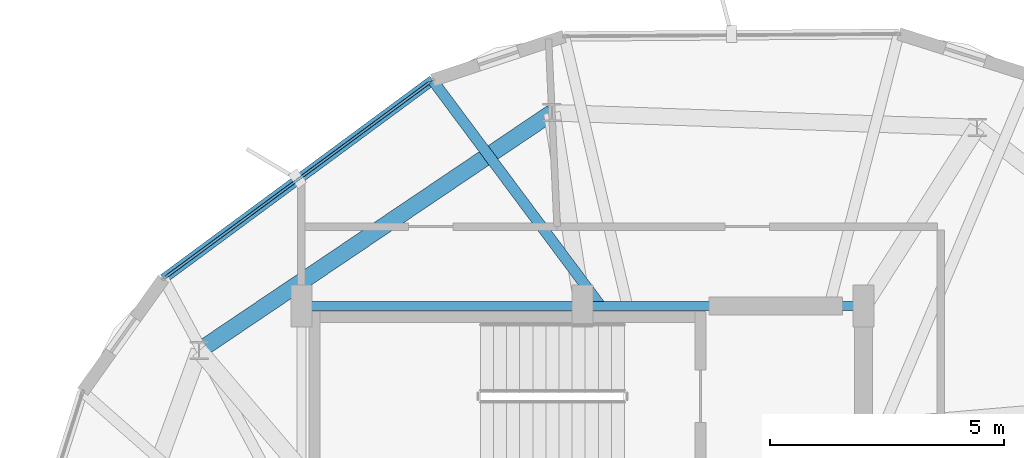
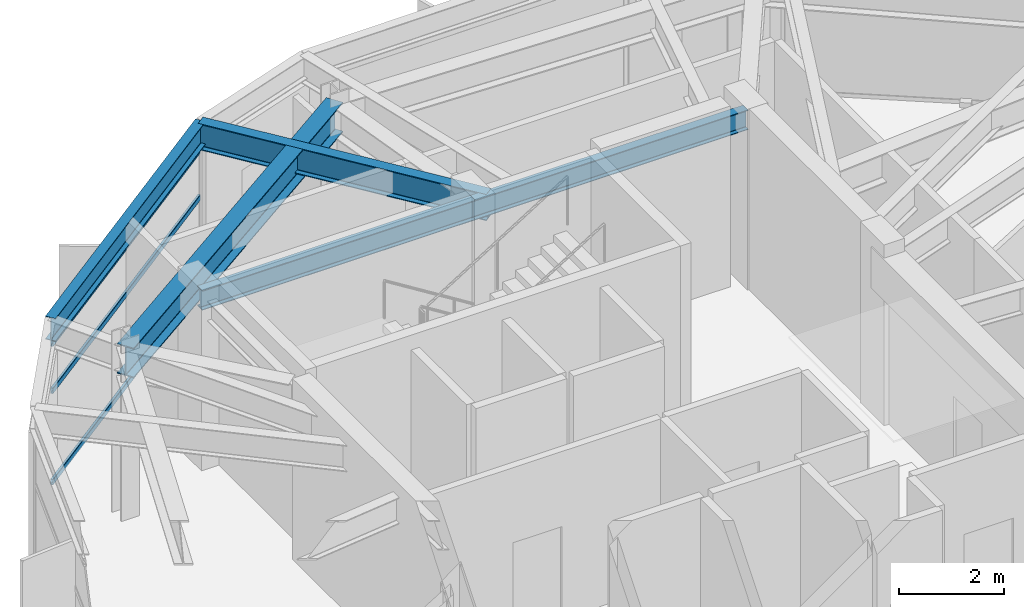
# One storey, part 11 of 22: 5 beams, 3 members, 1 element without a shape of its own.
"""IFC4 building model written with IfcOpenShell, lengths in metres."""

from ifc_helpers import new_model, si_unit, direction, frame, origin, origin_2d, place, context, subcontext, project, spatial, hollow_rectangle, i_section, extrude, material, layer, layer_set, material_profile, profile_set, type_object, element, aggregate, save


model = new_model("IFC4")

# Units and contexts
model_context = context("Model", 3, precision=1e-05, world=origin(), true_north=direction((0.0, 1.0)))
body_context = subcontext(model_context, "Body", "Model", "MODEL_VIEW")
ifc_project = project(units=[si_unit("LENGTHUNIT", "METRE"), si_unit("AREAUNIT", "SQUARE_METRE"), si_unit("VOLUMEUNIT", "CUBIC_METRE"), si_unit("PLANEANGLEUNIT", "RADIAN"), si_unit("MASSUNIT", "GRAM", prefix="KILO")], contexts=[model_context])

# Site, building, storey
site_placement = place(None, origin())
site = spatial("IfcSite", under=ifc_project, at=site_placement, CompositionType="ELEMENT")
building_placement = place(site_placement, origin())
building = spatial("IfcBuilding", under=site, at=building_placement, Name="Soratama Intermodal Tower", CompositionType="ELEMENT")
storey_placement = place(building_placement, frame((0.0, 0.0, 301.449951171875)))
storey = spatial("IfcBuildingStorey", under=building, at=storey_placement, Name="L76", CompositionType="ELEMENT", Elevation=301.449951171875)

# Beams
ifc_material_1 = material(Name="Structural steel ASTM A992 Grade 50", Category="steel")
ifc_material_profile_1 = material_profile(ifc_material_1, i_section(OverallWidth=0.19091796875, OverallDepth=0.4599609375, WebThickness=0.010009765625, FlangeThickness=0.01611328125, FilletRadius=0.010986328125, at=origin_2d()), Name="W18X55")
ifc_profile_set_1 = profile_set([ifc_material_profile_1], Name="Structural steel ASTM A992 Grade 50")
beam_type_1 = type_object("IfcBeamType", Name="BM-FLR-W18X55", PredefinedType="BEAM", material=ifc_profile_set_1)
for number, where, z_axis, x_axis, name in (
    (1, (44.60009765625, 35.0, 3.6650390625), (-1.0, 0.0, 0.0), (0.0, -1.0, 0.0), "BM-L76-CRING-06"),
    (2, (38.60009765625, 35.0, 3.6650390625), (-1.0, 0.0, 0.0), (0.0, -1.0, 0.0), "BM-L76-CRING-07"),
):
    element("IfcBeam", number, at=place(storey_placement, frame(where, z_axis=z_axis, x_axis=x_axis)), inside=storey, type_object=beam_type_1, Name=name, PredefinedType="BEAM", context=body_context, shape_type="SweptSolid", body=[
        extrude(i_section(OverallWidth=0.19091796875, OverallDepth=0.4599609375, WebThickness=0.010009765625, FlangeThickness=0.01611328125, FilletRadius=0.010986328125, at=origin_2d()), origin(), (0.0, 0.0, 1.0), 6.0),
    ])
ifc_material_2 = material(Name="Structural steel ASTM A992 Grade 50", Category="steel")
ifc_material_profile_2 = material_profile(ifc_material_2, i_section(OverallWidth=0.35498046875, OverallDepth=0.695068359375, WebThickness=0.015380859375, FlangeThickness=0.02490234375, FilletRadius=0.01611328125, at=origin_2d()), Name="W27X146")
ifc_profile_set_2 = profile_set([ifc_material_profile_2], Name="Structural steel ASTM A992 Grade 50")
beam_type_2 = type_object("IfcBeamType", Name="BM-RING-W27X146", PredefinedType="BEAM", material=ifc_profile_set_2)
beam_1_placement = place(storey_placement, frame((37.947998046875, 39.1298828125, 3.547607421875), z_axis=(-0.829065755123, -0.559151118824, 0.0), x_axis=(0.559151118824, -0.829065755123, 0.0)))
element("IfcBeam", 3, at=beam_1_placement, inside=storey, type_object=beam_type_2, Name="BM-L76-RING-03", PredefinedType="BEAM", context=body_context, shape_type="SweptSolid", body=[
    extrude(i_section(OverallWidth=0.35498046875, OverallDepth=0.695068359375, WebThickness=0.015380859375, FlangeThickness=0.02490234375, FilletRadius=0.01611328125, at=origin_2d()), origin(), (0.0, 0.0, 1.0), 9.0849609375),
])
ifc_material_3 = material(Name="Structural steel ASTM A992 Grade 50", Category="steel")
ifc_material_profile_3 = material_profile(ifc_material_3, i_section(OverallWidth=0.2099609375, OverallDepth=0.537109375, WebThickness=0.010986328125, FlangeThickness=0.017333984375, FilletRadius=0.012939453125, at=origin_2d()), Name="W21X68")
ifc_profile_set_3 = profile_set([ifc_material_profile_3], Name="Structural steel ASTM A992 Grade 50")
beam_type_3 = type_object("IfcBeamType", Name="BM-SPN-W21X68", PredefinedType="SPANDREL", material=ifc_profile_set_3)
beam_2_placement = place(storey_placement, frame((35.39990234375, 39.823974609375, 3.62646484375), z_axis=(-0.804640583327, -0.593762184433, 0.0), x_axis=(0.593762184433, -0.804640583327, 0.0)))
element("IfcBeam", 4, at=beam_2_placement, inside=storey, type_object=beam_type_3, Name="BS-L76-F02", PredefinedType="SPANDREL", context=body_context, shape_type="SweptSolid", body=[
    extrude(i_section(OverallWidth=0.2099609375, OverallDepth=0.537109375, WebThickness=0.010986328125, FlangeThickness=0.017333984375, FilletRadius=0.012939453125, at=origin_2d()), origin(), (0.0, 0.0, 1.0), 7.140869140625),
])
ifc_material_4 = material(Name="Structural steel ASTM A992 Grade 50", Category="steel")
ifc_material_profile_4 = material_profile(ifc_material_4, i_section(OverallWidth=0.22900390625, OverallDepth=0.612060546875, WebThickness=0.011962890625, FlangeThickness=0.01953125, FilletRadius=0.012939453125, at=origin_2d()), Name="W24X84")
ifc_profile_set_4 = profile_set([ifc_material_profile_4], Name="Structural steel ASTM A992 Grade 50")
beam_type_4 = type_object("IfcBeamType", Name="BM-TIE-W24X84", PredefinedType="BEAM", material=ifc_profile_set_4)
beam_3_placement = place(storey_placement, frame((38.968017578125, 35.031982421875, 3.589111328125), z_axis=(-0.597224198519, 0.802074346119, 0.0), x_axis=(-0.802074346119, -0.597224198519, 0.0)))
element("IfcBeam", 5, at=beam_3_placement, inside=storey, type_object=beam_type_4, Name="BM-L76-TIE0-02", PredefinedType="BEAM", context=body_context, shape_type="SweptSolid", body=[
    extrude(i_section(OverallWidth=0.22900390625, OverallDepth=0.612060546875, WebThickness=0.011962890625, FlangeThickness=0.01953125, FilletRadius=0.012939453125, at=origin_2d()), origin(), (0.0, 0.0, 1.0), 5.974609375),
])

# Curtain wall, members
ifc_material_5 = material(Name="Double-glazed aluminium curtain wall", Category="aluminium")
ifc_layer = layer(ifc_material_5, 0.159912109375)
ifc_layer_set = layer_set([ifc_layer], Name="Double-glazed aluminium curtain wall")
curtain_wall_type = type_object("IfcCurtainWallType", Name="CW-SYS-6", PredefinedType="NOTDEFINED", material=ifc_layer_set)
curtain_wall_placement = place(storey_placement, origin())
curtain_wall = element("IfcCurtainWall", 6, at=curtain_wall_placement, inside=storey, type_object=curtain_wall_type, Name="L76 Faceted Curtain Wall F02", PredefinedType="NOTDEFINED")
ifc_material_6 = material(Name="Anodised aluminium AA 6063-T6", Category="aluminium")
ifc_material_profile_5 = material_profile(ifc_material_6, hollow_rectangle(XDim=0.06005859375, YDim=0.1298828125, WallThickness=0.0048828125, InnerFilletRadius=0.0048828125, OuterFilletRadius=0.010009765625, at=origin_2d()), Name="CWT130X60X5")
ifc_profile_set_5 = profile_set([ifc_material_profile_5], Name="Anodised aluminium AA 6063-T6")
member_type = type_object("IfcMemberType", Name="TT-CWT-2", PredefinedType="USERDEFINED", material=ifc_profile_set_5)
member_1_placement = place(storey_placement, frame((35.351318359375, 39.7880859375, 0.030029296875), z_axis=(-0.804674558185, -0.593716140433, 0.0), x_axis=(0.593716140433, -0.804674558185, 0.0)))
member_1 = element("IfcMember", 7, at=member_1_placement, type_object=member_type, Name="CW-6 transom 1.1", ObjectType="TRANSOM", PredefinedType="USERDEFINED", context=body_context, shape_type="SweptSolid", body=[
    extrude(hollow_rectangle(XDim=0.06005859375, YDim=0.1298828125, WallThickness=0.0048828125, InnerFilletRadius=0.0048828125, OuterFilletRadius=0.010009765625, at=origin_2d()), origin(), (0.0, 0.0, 1.0), 7.02001953125),
])
member_2_placement = place(storey_placement, frame((35.351318359375, 39.7880859375, 2.150146484375), z_axis=(-0.804674558185, -0.593716140433, 0.0), x_axis=(0.593716140433, -0.804674558185, 0.0)))
member_2 = element("IfcMember", 8, at=member_2_placement, type_object=member_type, Name="CW-6 transom 1.2", ObjectType="TRANSOM", PredefinedType="USERDEFINED", context=body_context, shape_type="SweptSolid", body=[
    extrude(hollow_rectangle(XDim=0.06005859375, YDim=0.1298828125, WallThickness=0.0048828125, InnerFilletRadius=0.0048828125, OuterFilletRadius=0.010009765625, at=origin_2d()), origin(), (0.0, 0.0, 1.0), 7.02001953125),
])
member_3_placement = place(storey_placement, frame((35.351318359375, 39.7880859375, 3.244140625), z_axis=(-0.804674558185, -0.593716140433, 0.0), x_axis=(0.593716140433, -0.804674558185, 0.0)))
member_3 = element("IfcMember", 9, at=member_3_placement, type_object=member_type, Name="CW-6 transom 1.3", ObjectType="TRANSOM", PredefinedType="USERDEFINED", context=body_context, shape_type="SweptSolid", body=[
    extrude(hollow_rectangle(XDim=0.06005859375, YDim=0.1298828125, WallThickness=0.0048828125, InnerFilletRadius=0.0048828125, OuterFilletRadius=0.010009765625, at=origin_2d()), origin(), (0.0, 0.0, 1.0), 7.02001953125),
])
aggregate(curtain_wall, [member_1, member_2, member_3])

save(model, "model.ifc")
